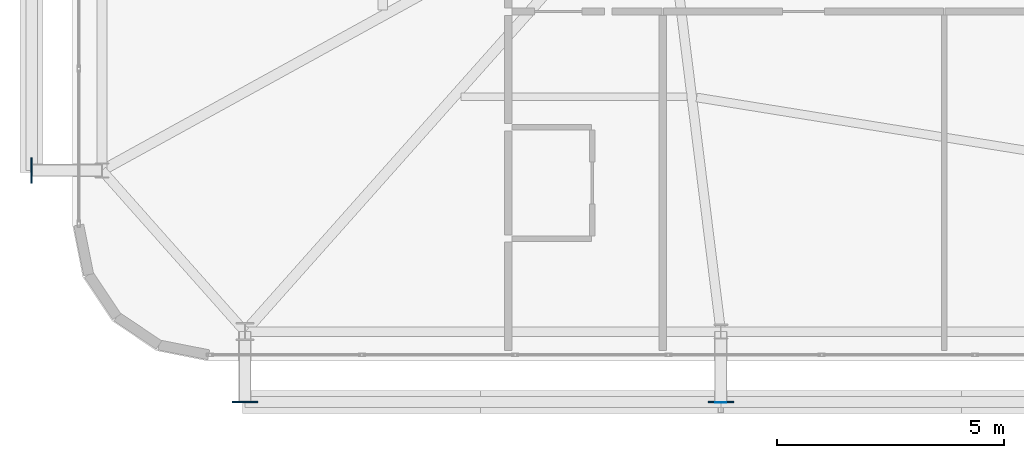
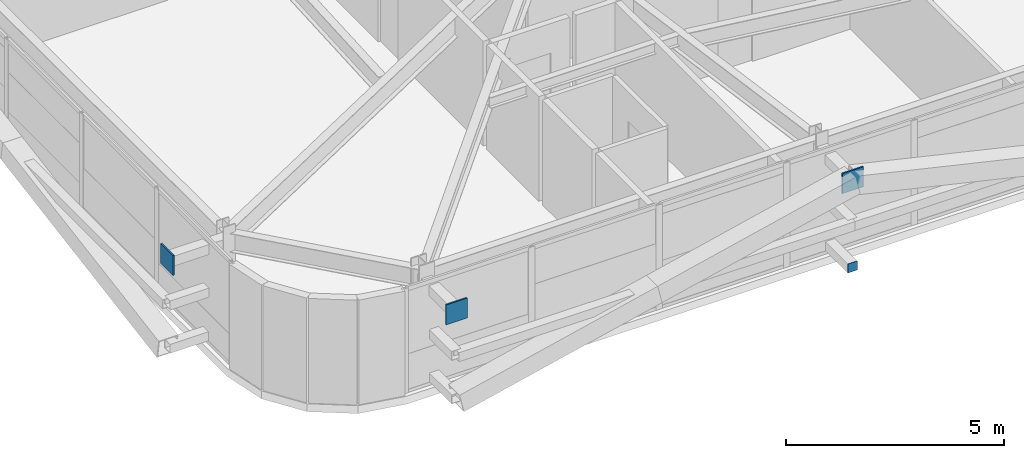
# One storey, part 44 of 58: 4 plates.
"""IFC4 building model written with IfcOpenShell, lengths in metres."""

from ifc_helpers import new_model, si_unit, direction, frame, origin, origin_2d, place, context, subcontext, project, spatial, rectangle, extrude, source, transform, mapped, material, layer, layer_set, type_object, element, save


model = new_model("IFC4")

# Units and contexts
model_context = context("Model", 3, precision=1e-05, world=origin(), true_north=direction((0.0, 1.0)))
body_context = subcontext(model_context, "Body", "Model", "MODEL_VIEW")
ifc_project = project(units=[si_unit("LENGTHUNIT", "METRE"), si_unit("AREAUNIT", "SQUARE_METRE"), si_unit("VOLUMEUNIT", "CUBIC_METRE"), si_unit("PLANEANGLEUNIT", "RADIAN"), si_unit("MASSUNIT", "GRAM", prefix="KILO")], contexts=[model_context])

# Site, building, storey
site_placement = place(None, origin())
site = spatial("IfcSite", under=ifc_project, at=site_placement, CompositionType="ELEMENT")
building_placement = place(site_placement, origin())
building = spatial("IfcBuilding", under=site, at=building_placement, Name="Taldren Reach Tower", CompositionType="ELEMENT")
storey_placement = place(building_placement, frame((0.0, 0.0, 54.60009765625)))
storey = spatial("IfcBuildingStorey", under=building, at=storey_placement, Name="L16", CompositionType="ELEMENT", Elevation=54.60009765625)

# Plates
ifc_material_1 = material(Name="Steel Gr 450 (C450L0)", Category="steel")
ifc_layer_1 = layer(ifc_material_1, 0.0400390625)
ifc_layer_set_1 = layer_set([ifc_layer_1], Name="Steel Gr 450 (C450L0)")
plate_type_1 = type_object("IfcPlateType", Name="PL-GUSSET-40", PredefinedType="SHEET", material=ifc_layer_set_1)
shared_shape_1 = source(origin(), body_context, "Body", "SweptSolid", [
    extrude(rectangle(XDim=0.56005859375, YDim=0.0400390625, at=origin_2d()), origin(), (0.0, 0.0, 1.0), 0.56005859375),
])
for number, where, z_axis, x_axis, name in (
    (1, (8.800048828125, 0.60009765625, 2.369873046875), (0.0, 0.0, 1.0), (1.0, 0.0, 0.0), "Exoskeleton star-node gusset plate B1-S1 L16"),
    (2, (19.280029296875, 0.60009765625, 2.369873046875), (0.0, 0.0, 1.0), (1.0, 0.0, 0.0), "Exoskeleton star-node gusset plate B1-S2 L16"),
    (3, (4.10009765625, 5.699951171875, 2.369873046875), (0.0, 0.0, 1.0), (0.0, 1.0, 0.0), "Exoskeleton star-node gusset plate B1-W1 L16"),
):
    element("IfcPlate", number, at=place(storey_placement, frame(where, z_axis=z_axis, x_axis=x_axis)), inside=storey, type_object=plate_type_1, Name=name, PredefinedType="SHEET", context=body_context, shape_type="MappedRepresentation", body=[
        mapped(shared_shape_1, transform((0.0, 0.0, 0.0), scale=1.0)),
    ])
ifc_material_2 = material(Name="Steel Gr 350 (C350L0)", Category="steel")
ifc_layer_2 = layer(ifc_material_2, 0.011962890625)
ifc_layer_set_2 = layer_set([ifc_layer_2], Name="Steel Gr 350 (C350L0)")
plate_type_2 = type_object("IfcPlateType", Name="PL-CAP-250", PredefinedType="SHEET", material=ifc_layer_set_2)
shared_shape_2 = source(origin(), body_context, "Body", "SweptSolid", [
    extrude(rectangle(XDim=0.25, YDim=0.011962890625, at=origin_2d()), origin(), (0.0, 0.0, 1.0), 0.25),
])
plate_placement = place(storey_placement, frame((19.280029296875, 0.593994140625, 0.094970703125), z_axis=(0.0, 0.0, 1.0), x_axis=(1.0, 0.0, 0.0)))
element("IfcPlate", 4, at=plate_placement, inside=storey, type_object=plate_type_2, Name="Tie strut end cap plate B1-S2 L16", PredefinedType="SHEET", context=body_context, shape_type="MappedRepresentation", body=[
    mapped(shared_shape_2, transform((0.0, 0.0, 0.0), scale=1.0)),
])

save(model, "model.ifc")
